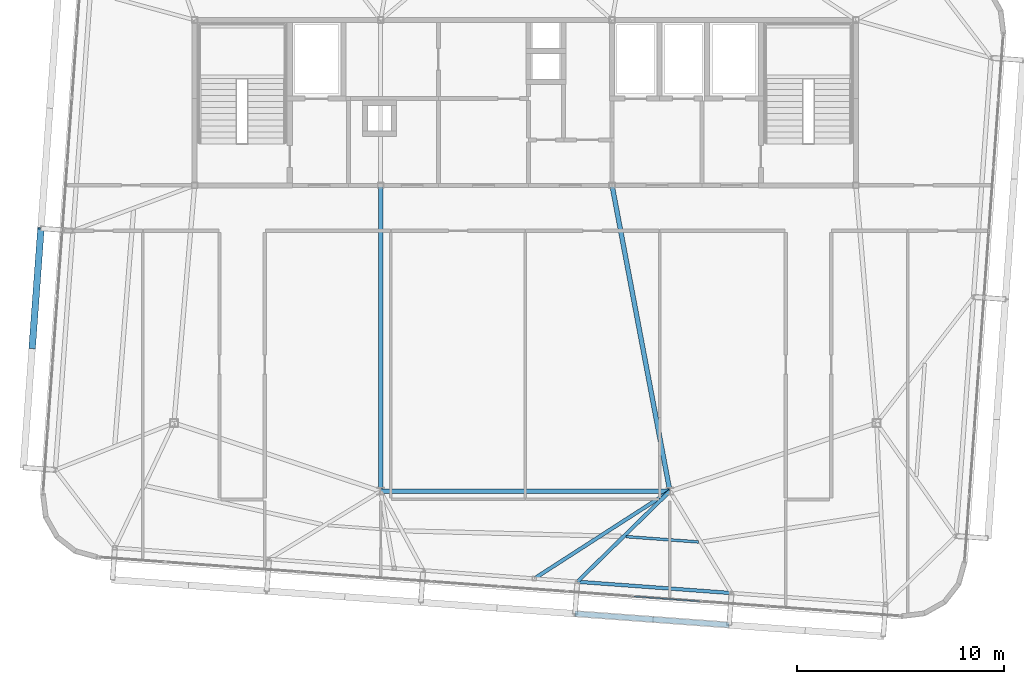
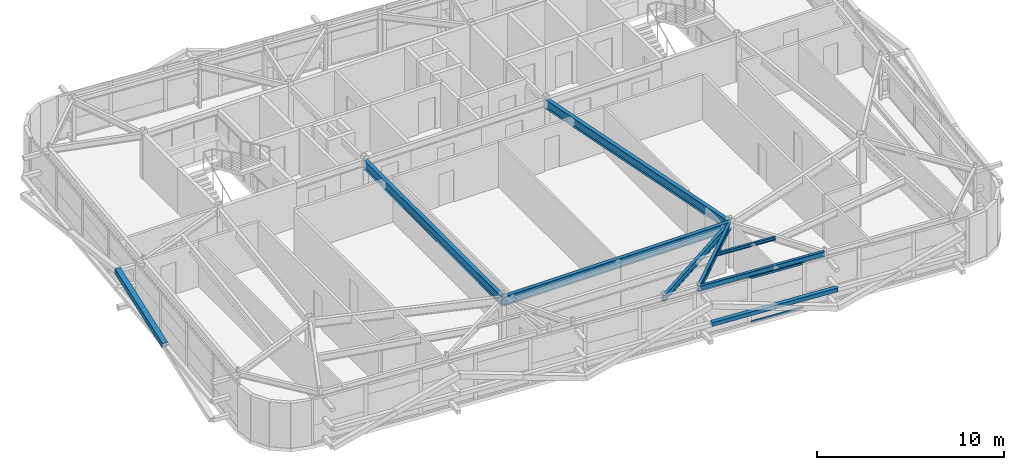
# One storey, part 14 of 42: 7 beams, 4 members, 1 element without a shape of its own.
"""IFC4 building model written with IfcOpenShell, lengths in metres."""

from ifc_helpers import new_model, si_unit, direction, frame, origin, origin_2d, place, context, subcontext, project, spatial, hollow_rectangle, i_section, extrude, source, transform, mapped, material, layer, layer_set, material_profile, profile_set, type_object, element, aggregate, save


model = new_model("IFC4")

# Units and contexts
model_context = context("Model", 3, precision=1e-05, world=origin(), true_north=direction((0.0, 1.0)))
body_context = subcontext(model_context, "Body", "Model", "MODEL_VIEW")
ifc_project = project(units=[si_unit("LENGTHUNIT", "METRE"), si_unit("AREAUNIT", "SQUARE_METRE"), si_unit("VOLUMEUNIT", "CUBIC_METRE"), si_unit("PLANEANGLEUNIT", "RADIAN"), si_unit("MASSUNIT", "GRAM", prefix="KILO")], contexts=[model_context])

# Site, building, storey
site_placement = place(None, origin())
site = spatial("IfcSite", under=ifc_project, at=site_placement, CompositionType="ELEMENT")
building_placement = place(site_placement, origin())
building = spatial("IfcBuilding", under=site, at=building_placement, Name="Taldren Reach Tower", CompositionType="ELEMENT")
storey_placement = place(building_placement, frame((0.0, 0.0, 217.699951171875)))
storey = spatial("IfcBuildingStorey", under=building, at=storey_placement, Name="L66", CompositionType="ELEMENT", Elevation=217.699951171875)

# Beams
ifc_material_1 = material(Name="Steel Gr 350 (350PLUS)", Category="steel")
ifc_material_profile_1 = material_profile(ifc_material_1, i_section(OverallWidth=0.22802734375, OverallDepth=0.60205078125, WebThickness=0.010498046875, FlangeThickness=0.014892578125, at=origin_2d()), Name="610UB101")
ifc_profile_set_1 = profile_set([ifc_material_profile_1], Name="Steel Gr 350 (350PLUS)")
beam_type_1 = type_object("IfcBeamType", Name="BM-UB610B", PredefinedType="BEAM", material=ifc_profile_set_1)
shared_shape_1 = source(origin(), body_context, "Body", "SweptSolid", [
    extrude(i_section(OverallWidth=0.22802734375, OverallDepth=0.60205078125, WebThickness=0.010498046875, FlangeThickness=0.014892578125, at=origin_2d()), origin(), (0.0, 0.0, 1.0), 14.0),
])
beam_1_placement = place(storey_placement, frame((28.0, 9.199951171875, 2.629150390625), z_axis=(1.0, 0.0, 0.0), x_axis=(0.0, 1.0, 0.0)))
element("IfcBeam", 1, at=beam_1_placement, inside=storey, type_object=beam_type_1, Name="Core-spine girder L66-SP11", PredefinedType="BEAM", context=body_context, shape_type="MappedRepresentation", body=[
    mapped(shared_shape_1, transform((0.0, 0.0, 0.0), scale=1.0)),
])
shared_shape_2 = source(origin(), body_context, "Body", "SweptSolid", [
    extrude(i_section(OverallWidth=0.22802734375, OverallDepth=0.60205078125, WebThickness=0.010498046875, FlangeThickness=0.014892578125, at=origin_2d()), origin(), (0.0, 0.0, 1.0), 14.800048828125),
])
beam_2_placement = place(storey_placement, frame((28.0, 24.0, 2.629150390625), z_axis=(0.0, -1.0, 0.0), x_axis=(1.0, 0.0, 0.0)))
element("IfcBeam", 2, at=beam_2_placement, inside=storey, type_object=beam_type_1, Name="Core-spine girder L66-SP14", PredefinedType="BEAM", context=body_context, shape_type="MappedRepresentation", body=[
    mapped(shared_shape_2, transform((0.0, 0.0, 0.0), scale=1.0)),
])
shared_shape_3 = source(origin(), body_context, "Body", "SweptSolid", [
    extrude(i_section(OverallWidth=0.22802734375, OverallDepth=0.60205078125, WebThickness=0.010498046875, FlangeThickness=0.014892578125, at=origin_2d()), origin(), (0.0, 0.0, 1.0), 15.0625),
])
beam_3_placement = place(storey_placement, frame((39.199951171875, 24.0, 2.629150390625), z_axis=(0.185894205668, -0.982569765614, 0.0), x_axis=(0.982569765614, 0.185894205668, 0.0)))
element("IfcBeam", 3, at=beam_3_placement, inside=storey, type_object=beam_type_1, Name="Core-spine girder L66-SP15", PredefinedType="BEAM", context=body_context, shape_type="MappedRepresentation", body=[
    mapped(shared_shape_3, transform((0.0, 0.0, 0.0), scale=1.0)),
])
ifc_material_profile_2 = material_profile(ifc_material_1, i_section(OverallWidth=0.172119140625, OverallDepth=0.35888671875, WebThickness=0.008056640625, FlangeThickness=0.012939453125, at=origin_2d()), Name="360UB56.7")
ifc_profile_set_2 = profile_set([ifc_material_profile_2], Name="Steel Gr 350 (350PLUS)")
beam_type_2 = type_object("IfcBeamType", Name="SP-UB360", PredefinedType="SPANDREL", material=ifc_profile_set_2)
shared_shape_4 = source(origin(), body_context, "Body", "SweptSolid", [
    extrude(i_section(OverallWidth=0.172119140625, OverallDepth=0.35888671875, WebThickness=0.008056640625, FlangeThickness=0.012939453125, at=origin_2d()), origin(), (0.0, 0.0, 1.0), 7.479736328125),
])
beam_4_placement = place(storey_placement, frame((37.5205078125, 4.81689453125, 2.75048828125), z_axis=(0.997314045547, -0.073244075215, 0.0), x_axis=(0.073244075215, 0.997314045547, 0.0)))
element("IfcBeam", 4, at=beam_4_placement, inside=storey, type_object=beam_type_2, Name="Perimeter spandrel B5 S4-S5 L66", PredefinedType="SPANDREL", context=body_context, shape_type="MappedRepresentation", body=[
    mapped(shared_shape_4, transform((0.0, 0.0, 0.0), scale=1.0)),
])
ifc_material_profile_3 = material_profile(ifc_material_1, i_section(OverallWidth=0.177978515625, OverallDepth=0.406005859375, WebThickness=0.0078125, FlangeThickness=0.0126953125, at=origin_2d()), Name="410UB59.7")
ifc_profile_set_3 = profile_set([ifc_material_profile_3], Name="Steel Gr 350 (350PLUS)")
beam_type_3 = type_object("IfcBeamType", Name="BM-UB410", PredefinedType="BEAM", material=ifc_profile_set_3)
shared_shape_5 = source(origin(), body_context, "Body", "SweptSolid", [
    extrude(i_section(OverallWidth=0.177978515625, OverallDepth=0.406005859375, WebThickness=0.0078125, FlangeThickness=0.0126953125, at=origin_2d()), origin(), (0.0, 0.0, 1.0), 7.80908203125),
])
beam_5_placement = place(storey_placement, frame((42.0, 9.199951171875, 2.72705078125), z_axis=(-0.840564391699, -0.541711642304, 0.0), x_axis=(0.541711642304, -0.840564391699, 0.0)))
element("IfcBeam", 5, at=beam_5_placement, inside=storey, type_object=beam_type_3, Name="Primary floor girder B5-PJ2 L66", PredefinedType="BEAM", context=body_context, shape_type="MappedRepresentation", body=[
    mapped(shared_shape_5, transform((0.0, 0.0, 0.0), scale=1.0)),
])
shared_shape_6 = source(origin(), body_context, "Body", "SweptSolid", [
    extrude(i_section(OverallWidth=0.177978515625, OverallDepth=0.406005859375, WebThickness=0.0078125, FlangeThickness=0.0126953125, at=origin_2d()), origin(), (0.0, 0.0, 1.0), 6.26708984375),
])
beam_6_placement = place(storey_placement, frame((42.0, 9.199951171875, 2.72705078125), z_axis=(-0.71475866888, -0.699371178461, 0.0), x_axis=(0.699371178461, -0.71475866888, 0.0)))
element("IfcBeam", 6, at=beam_6_placement, inside=storey, type_object=beam_type_3, Name="Primary floor girder B5-S4 L66", PredefinedType="BEAM", context=body_context, shape_type="MappedRepresentation", body=[
    mapped(shared_shape_6, transform((0.0, 0.0, 0.0), scale=1.0)),
])
ifc_material_2 = material(Name="Steel Gr 300 (300PLUS, 300 MPa)", Category="steel")
ifc_material_profile_4 = material_profile(ifc_material_2, i_section(OverallWidth=0.134033203125, OverallDepth=0.20703125, WebThickness=0.00634765625, FlangeThickness=0.009521484375, at=origin_2d()), Name="200UB29.8")
ifc_profile_set_4 = profile_set([ifc_material_profile_4], Name="Steel Gr 300 (300PLUS, 300 MPa)")
beam_type_4 = type_object("IfcBeamType", Name="JS-UB200", PredefinedType="JOIST", material=ifc_profile_set_4)
shared_shape_7 = source(origin(), body_context, "Body", "SweptSolid", [
    extrude(i_section(OverallWidth=0.134033203125, OverallDepth=0.20703125, WebThickness=0.00634765625, FlangeThickness=0.009521484375, at=origin_2d()), origin(), (0.0, 0.0, 1.0), 3.51220703125),
])
beam_7_placement = place(storey_placement, frame((39.878662109375, 6.999755859375, 2.82666015625), z_axis=(0.997312333235, -0.073267386856, 0.0), x_axis=(0.073267386856, 0.997312333235, 0.0)))
element("IfcBeam", 7, at=beam_7_placement, inside=storey, type_object=beam_type_4, Name="Secondary floor joist B5 J4 L66", PredefinedType="JOIST", context=body_context, shape_type="MappedRepresentation", body=[
    mapped(shared_shape_7, transform((0.0, 0.0, 0.0), scale=1.0)),
])

# Members
ifc_material_3 = material(Name="Steel Gr 350 (C350L0)", Category="steel")
ifc_material_profile_5 = material_profile(ifc_material_3, hollow_rectangle(XDim=0.25, YDim=0.25, WallThickness=0.010009765625, at=origin_2d()), Name="250x250x10.0SHS")
ifc_profile_set_5 = profile_set([ifc_material_profile_5], Name="Steel Gr 350 (C350L0)")
member_type_1 = type_object("IfcMemberType", Name="MB-POST250", PredefinedType="POST", material=ifc_profile_set_5)
shared_shape_8 = source(origin(), body_context, "Body", "SweptSolid", [
    extrude(hollow_rectangle(XDim=0.25, YDim=0.25, WallThickness=0.010009765625, at=origin_2d()), origin(), (0.0, 0.0, 1.0), 7.479736328125),
])
member_1_placement = place(storey_placement, frame((37.406982421875, 3.27099609375, 1.43505859375), z_axis=(0.997314045547, -0.073244075215, 0.0), x_axis=(0.073244075215, 0.997314045547, 0.0)))
element("IfcMember", 8, at=member_1_placement, inside=storey, type_object=member_type_1, Name="Exoskeleton mid-height ring chord B5-S4 L66", PredefinedType="POST", context=body_context, shape_type="MappedRepresentation", body=[
    mapped(shared_shape_8, transform((0.0, 0.0, 0.0), scale=1.0)),
])
ifc_material_4 = material(Name="Steel Gr 450 (C450L0)", Category="steel")
ifc_material_profile_6 = material_profile(ifc_material_4, hollow_rectangle(XDim=0.324951171875, YDim=0.324951171875, WallThickness=0.0126953125, at=origin_2d()), Name="325x325x12.7SHS")
ifc_profile_set_6 = profile_set([ifc_material_profile_6], Name="Steel Gr 450 (C450L0)")
member_type_2 = type_object("IfcMemberType", Name="MB-BR324", PredefinedType="BRACE", material=ifc_profile_set_6)
shared_shape_9 = source(origin(), body_context, "Body", "SweptSolid", [
    extrude(hollow_rectangle(XDim=0.324951171875, YDim=0.324951171875, WallThickness=0.0126953125, at=origin_2d()), origin(), (0.0, 0.0, 1.0), 5.926025390625),
])
member_2_placement = place(storey_placement, frame((11.137939453125, 16.12939453125, 1.43505859375), z_axis=(0.071685935393, 0.976123486939, 0.205046494513), x_axis=(-0.997314185625, 0.073242167855, 0.0)))
element("IfcMember", 9, at=member_2_placement, inside=storey, type_object=member_type_2, Name="Exoskeleton Diagrid Brace B5-W1 L66", PredefinedType="BRACE", context=body_context, shape_type="MappedRepresentation", body=[
    mapped(shared_shape_9, transform((0.0, 0.0, 0.0), scale=1.0)),
])

# Curtain wall, members
ifc_material_5 = material(Name="Aluminium and Low-E Glass Unitised System", Category="aluminium")
ifc_layer = layer(ifc_material_5, 0.159912109375)
ifc_layer_set = layer_set([ifc_layer], Name="Aluminium and Low-E Glass Unitised System")
curtain_wall_type = type_object("IfcCurtainWallType", Name="CW-SYS-6", PredefinedType="NOTDEFINED", material=ifc_layer_set)
curtain_wall_placement = place(storey_placement, origin())
curtain_wall = element("IfcCurtainWall", 10, at=curtain_wall_placement, inside=storey, type_object=curtain_wall_type, Name="Unitised curtain wall CW-L66-S", PredefinedType="NOTDEFINED")
ifc_material_6 = material(Name="Anodised Aluminium 6063-T6", Category="aluminium")
ifc_material_profile_7 = material_profile(ifc_material_6, hollow_rectangle(XDim=0.06005859375, YDim=0.135009765625, WallThickness=0.00341796875, at=origin_2d()), Name="ALU-135x60x3.5RHS")
ifc_profile_set_7 = profile_set([ifc_material_profile_7], Name="Anodised Aluminium 6063-T6")
member_type_3 = type_object("IfcMemberType", Name="CW-TRN-150", PredefinedType="USERDEFINED", material=ifc_profile_set_7)
shared_shape_10 = source(origin(), body_context, "Body", "SweptSolid", [
    extrude(hollow_rectangle(XDim=0.06005859375, YDim=0.135009765625, WallThickness=0.00341796875, at=origin_2d()), origin(), (0.0, 0.0, 1.0), 3.175048828125),
])
member_3_placement = place(storey_placement, frame((40.27294921875, 4.103271484375, 0.030029296875), z_axis=(0.99731704481, -0.073203224877, 0.0), x_axis=(0.073203224877, 0.99731704481, 0.0)))
member_3 = element("IfcMember", 11, at=member_3_placement, type_object=member_type_3, Name="CW-6 transom 9.1", ObjectType="TRANSOM", PredefinedType="USERDEFINED", context=body_context, shape_type="MappedRepresentation", body=[
    mapped(shared_shape_10, transform((0.0, 0.0, 0.0), scale=1.0)),
])
member_4_placement = place(storey_placement, frame((40.27294921875, 4.103271484375, 2.900146484375), z_axis=(0.99731704481, -0.073203224877, 0.0), x_axis=(0.073203224877, 0.99731704481, 0.0)))
member_4 = element("IfcMember", 12, at=member_4_placement, type_object=member_type_3, Name="CW-6 transom 9.2", ObjectType="TRANSOM", PredefinedType="USERDEFINED", context=body_context, shape_type="MappedRepresentation", body=[
    mapped(shared_shape_10, transform((0.0, 0.0, 0.0), scale=1.0)),
])
aggregate(curtain_wall, [member_3, member_4])

save(model, "model.ifc")
